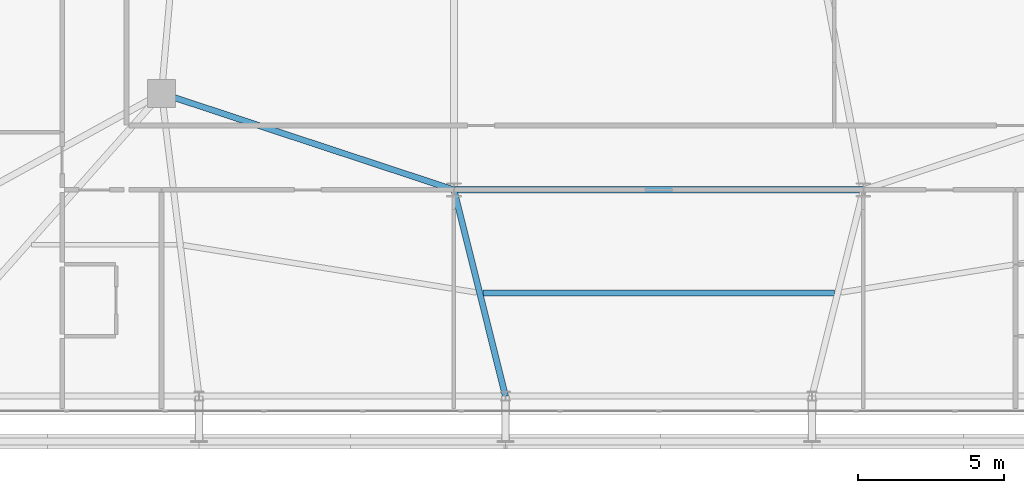
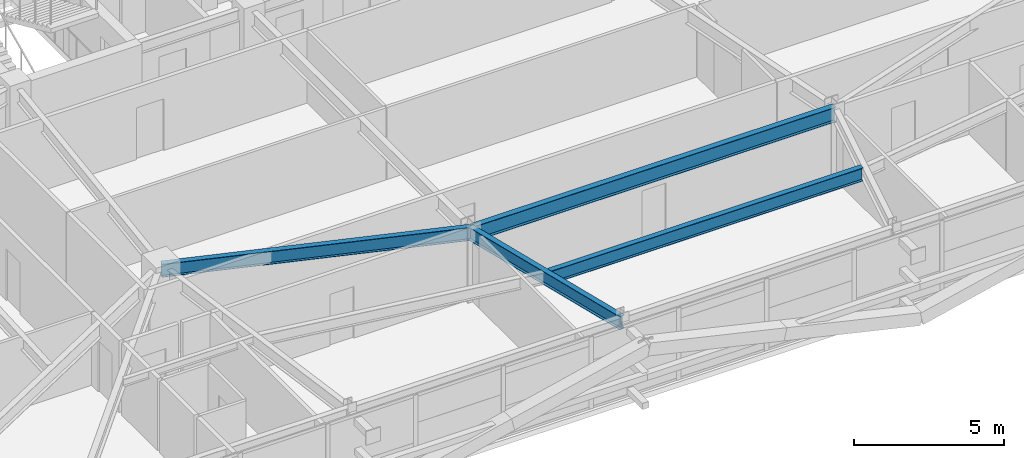
# One storey, part 13 of 59: 4 beams.
"""IFC4 building model written with IfcOpenShell, lengths in metres."""

from ifc_helpers import new_model, si_unit, direction, frame, origin, origin_2d, place, context, subcontext, project, spatial, i_section, extrude, source, transform, mapped, material, material_profile, profile_set, type_object, element, save


model = new_model("IFC4")

# Units and contexts
model_context = context("Model", 3, precision=1e-05, world=origin(), true_north=direction((0.0, 1.0)))
body_context = subcontext(model_context, "Body", "Model", "MODEL_VIEW")
ifc_project = project(units=[si_unit("LENGTHUNIT", "METRE"), si_unit("AREAUNIT", "SQUARE_METRE"), si_unit("VOLUMEUNIT", "CUBIC_METRE"), si_unit("PLANEANGLEUNIT", "RADIAN"), si_unit("MASSUNIT", "GRAM", prefix="KILO")], contexts=[model_context])

# Site, building, storey
site_placement = place(None, origin())
site = spatial("IfcSite", under=ifc_project, at=site_placement, CompositionType="ELEMENT")
building_placement = place(site_placement, origin())
building = spatial("IfcBuilding", under=site, at=building_placement, Name="Taldren Reach Tower", CompositionType="ELEMENT")
storey_placement = place(building_placement, frame((0.0, 0.0, 26.25)))
storey = spatial("IfcBuildingStorey", under=building, at=storey_placement, Name="L07", CompositionType="ELEMENT", Elevation=26.25)

# Beams
ifc_material = material(Name="Steel Gr 350 (350PLUS)", Category="steel")
ifc_material_profile_1 = material_profile(ifc_material, i_section(OverallWidth=0.208984375, OverallDepth=0.532958984375, WebThickness=0.01025390625, FlangeThickness=0.015625, at=origin_2d()), Name="530UB92.4")
ifc_profile_set_1 = profile_set([ifc_material_profile_1], Name="Steel Gr 350 (350PLUS)")
beam_type_1 = type_object("IfcBeamType", Name="BM-UB530A", PredefinedType="BEAM", material=ifc_profile_set_1)
shared_shape_1 = source(origin(), body_context, "Body", "SweptSolid", [
    extrude(i_section(OverallWidth=0.208984375, OverallDepth=0.532958984375, WebThickness=0.01025390625, FlangeThickness=0.015625, at=origin_2d()), origin(), (0.0, 0.0, 1.0), 10.530517578125),
])
beam_1_placement = place(storey_placement, frame((18.0, 12.5, 2.66357421875), z_axis=(0.949627269203, -0.313381635689, 0.0), x_axis=(0.313381635689, 0.949627269203, 0.0)))
element("IfcBeam", 1, at=beam_1_placement, inside=storey, type_object=beam_type_1, Name="Core-spine girder L07-SP10", PredefinedType="BEAM", context=body_context, shape_type="MappedRepresentation", body=[
    mapped(shared_shape_1, transform((0.0, 0.0, 0.0), scale=1.0)),
])
ifc_material_profile_2 = material_profile(ifc_material, i_section(OverallWidth=0.22802734375, OverallDepth=0.60205078125, WebThickness=0.010498046875, FlangeThickness=0.014892578125, at=origin_2d()), Name="610UB101")
ifc_profile_set_2 = profile_set([ifc_material_profile_2], Name="Steel Gr 350 (350PLUS)")
beam_type_2 = type_object("IfcBeamType", Name="BM-UB610B", PredefinedType="BEAM", material=ifc_profile_set_2)
shared_shape_2 = source(origin(), body_context, "Body", "SweptSolid", [
    extrude(i_section(OverallWidth=0.22802734375, OverallDepth=0.60205078125, WebThickness=0.010498046875, FlangeThickness=0.014892578125, at=origin_2d()), origin(), (0.0, 0.0, 1.0), 14.0),
])
beam_2_placement = place(storey_placement, frame((28.0, 9.199951171875, 2.62890625), z_axis=(1.0, 0.0, 0.0), x_axis=(0.0, 1.0, 0.0)))
element("IfcBeam", 2, at=beam_2_placement, inside=storey, type_object=beam_type_2, Name="Core-spine girder L07-SP11", PredefinedType="BEAM", context=body_context, shape_type="MappedRepresentation", body=[
    mapped(shared_shape_2, transform((0.0, 0.0, 0.0), scale=1.0)),
])
shared_shape_3 = source(origin(), body_context, "Body", "SweptSolid", [
    extrude(i_section(OverallWidth=0.208984375, OverallDepth=0.532958984375, WebThickness=0.01025390625, FlangeThickness=0.015625, at=origin_2d()), origin(), (0.0, 0.0, 1.0), 7.266357421875),
])
beam_3_placement = place(storey_placement, frame((28.0, 9.199951171875, 2.66357421875), z_axis=(0.24221148493, -0.970223477642, 0.0), x_axis=(0.970223477642, 0.24221148493, 0.0)))
element("IfcBeam", 3, at=beam_3_placement, inside=storey, type_object=beam_type_1, Name="Primary floor girder B1-S3 L07", PredefinedType="BEAM", context=body_context, shape_type="MappedRepresentation", body=[
    mapped(shared_shape_3, transform((0.0, 0.0, 0.0), scale=1.0)),
])
shared_shape_4 = source(origin(), body_context, "Body", "SweptSolid", [
    extrude(i_section(OverallWidth=0.208984375, OverallDepth=0.532958984375, WebThickness=0.01025390625, FlangeThickness=0.015625, at=origin_2d()), origin(), (0.0, 0.0, 1.0), 12.0244140625),
])
beam_4_placement = place(storey_placement, frame((28.98779296875, 5.675048828125, 2.66357421875), z_axis=(1.0, 0.0, 0.0), x_axis=(0.0, 1.0, 0.0)))
element("IfcBeam", 4, at=beam_4_placement, inside=storey, type_object=beam_type_1, Name="Secondary floor beam B1 J3 L07", PredefinedType="BEAM", context=body_context, shape_type="MappedRepresentation", body=[
    mapped(shared_shape_4, transform((0.0, 0.0, 0.0), scale=1.0)),
])

save(model, "model.ifc")
